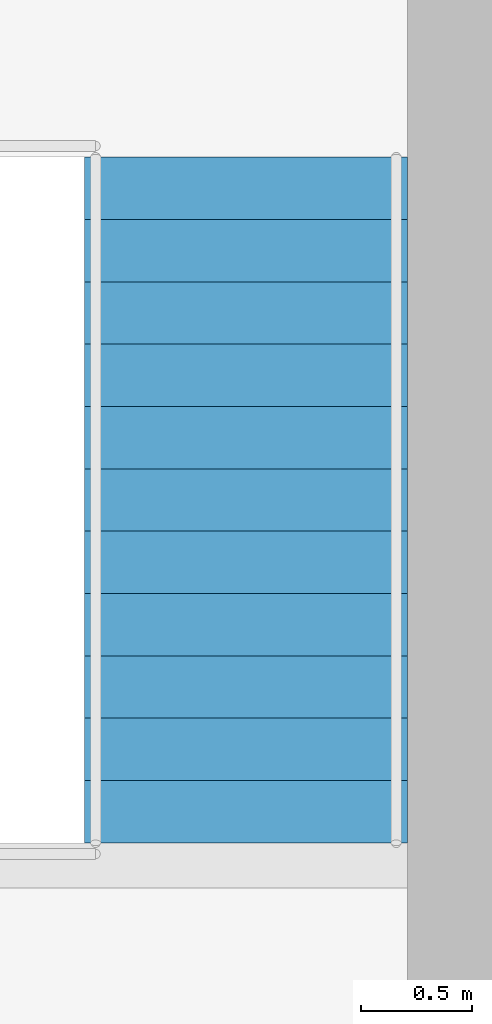
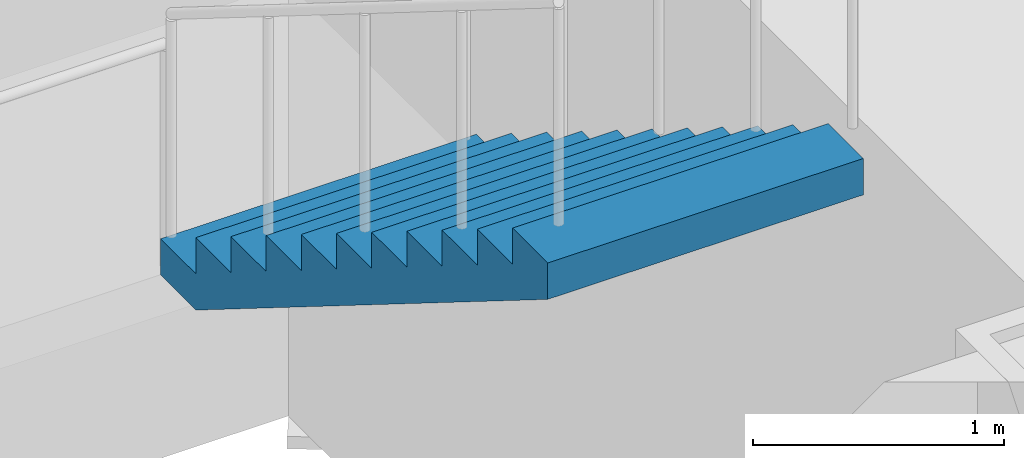
# One storey, part 11 of 17: 1 stair flight, 1 element without a shape of its own.
"""IFC4 building model written with IfcOpenShell, lengths in metres."""

from ifc_helpers import new_model, si_unit, direction, frame, origin, place, context, subcontext, project, spatial, polyline, outline, extrude, material, type_object, element, aggregate, save


model = new_model("IFC4")

# Units and contexts
model_context = context("Model", 3, precision=1e-05, world=origin(), true_north=direction((0.0, 1.0)))
body_context = subcontext(model_context, "Body", "Model", "MODEL_VIEW")
ifc_project = project(units=[si_unit("LENGTHUNIT", "METRE"), si_unit("AREAUNIT", "SQUARE_METRE"), si_unit("VOLUMEUNIT", "CUBIC_METRE"), si_unit("PLANEANGLEUNIT", "RADIAN"), si_unit("MASSUNIT", "GRAM", prefix="KILO")], contexts=[model_context])

# Site, building, storey
site_placement = place(None, origin())
site = spatial("IfcSite", under=ifc_project, at=site_placement, CompositionType="ELEMENT")
building_placement = place(site_placement, origin())
building = spatial("IfcBuilding", under=site, at=building_placement, Name="Daluyong Arena Tower", CompositionType="ELEMENT")
storey_placement = place(building_placement, frame((0.0, 0.0, 129.10009765625)))
storey = spatial("IfcBuildingStorey", under=building, at=storey_placement, Name="L28", CompositionType="ELEMENT", Elevation=129.10009765625)

# Stair, stair flight
ifc_material_1 = material(Name="Concrete fc' 35 MPa", Category="concrete")
stair_type = type_object("IfcStairType", Name="Core exit stair", PredefinedType="HALF_TURN_STAIR", material=ifc_material_1)
stair_placement = place(storey_placement, origin())
stair = element("IfcStair", 1, at=stair_placement, inside=storey, type_object=stair_type, Name="exit stair B L28", PredefinedType="HALF_TURN_STAIR")
ifc_material_2 = material(Name="Concrete fc' 35 MPa", Category="concrete")
stair_flight_type = type_object("IfcStairFlightType", Name="Core stair flight", PredefinedType="STRAIGHT", material=ifc_material_2)
stair_flight_placement = place(storey_placement, frame((66.675048828125, 86.905029296875, 2.099853515625), z_axis=(0.0, 0.0, 1.0), x_axis=(0.0, -1.0, 0.0)))
stair_flight = element("IfcStairFlight", 2, at=stair_flight_placement, type_object=stair_flight_type, Name="STB flight 2", NumberOfRisers=12, NumberOfTreads=11, PredefinedType="STRAIGHT", RiserHeight=0.175, TreadLength=0.28, context=body_context, shape_type="SweptSolid", body=[
    extrude(outline(polyline([(0.0, 0.0), (0.0, 0.175048828125), (0.280029296875, 0.175048828125), (0.280029296875, 0.35009765625), (0.56005859375, 0.35009765625), (0.56005859375, 0.52490234375), (0.840087890625, 0.52490234375), (0.840087890625, 0.699951171875), (1.1201171875, 0.699951171875), (1.1201171875, 0.875), (1.39990234375, 0.875), (1.39990234375, 1.050048828125), (1.679931640625, 1.050048828125), (1.679931640625, 1.22509765625), (1.9599609375, 1.22509765625), (1.9599609375, 1.39990234375), (2.239990234375, 1.39990234375), (2.239990234375, 1.574951171875), (2.52001953125, 1.574951171875), (2.52001953125, 1.75), (2.800048828125, 1.75), (2.800048828125, 1.925048828125), (3.080078125, 1.925048828125), (3.080078125, 2.10009765625), (3.080078125, 1.748291015625), (0.28271484375, 0.0), (0.0, 0.0)])), frame((0.0, 0.72509765625, 0.0), z_axis=(0.0, -1.0, 0.0), x_axis=(1.0, 0.0, 0.0)), (0.0, 0.0, 1.0), 1.449951171875),
])
aggregate(stair, [stair_flight])

save(model, "model.ifc")
